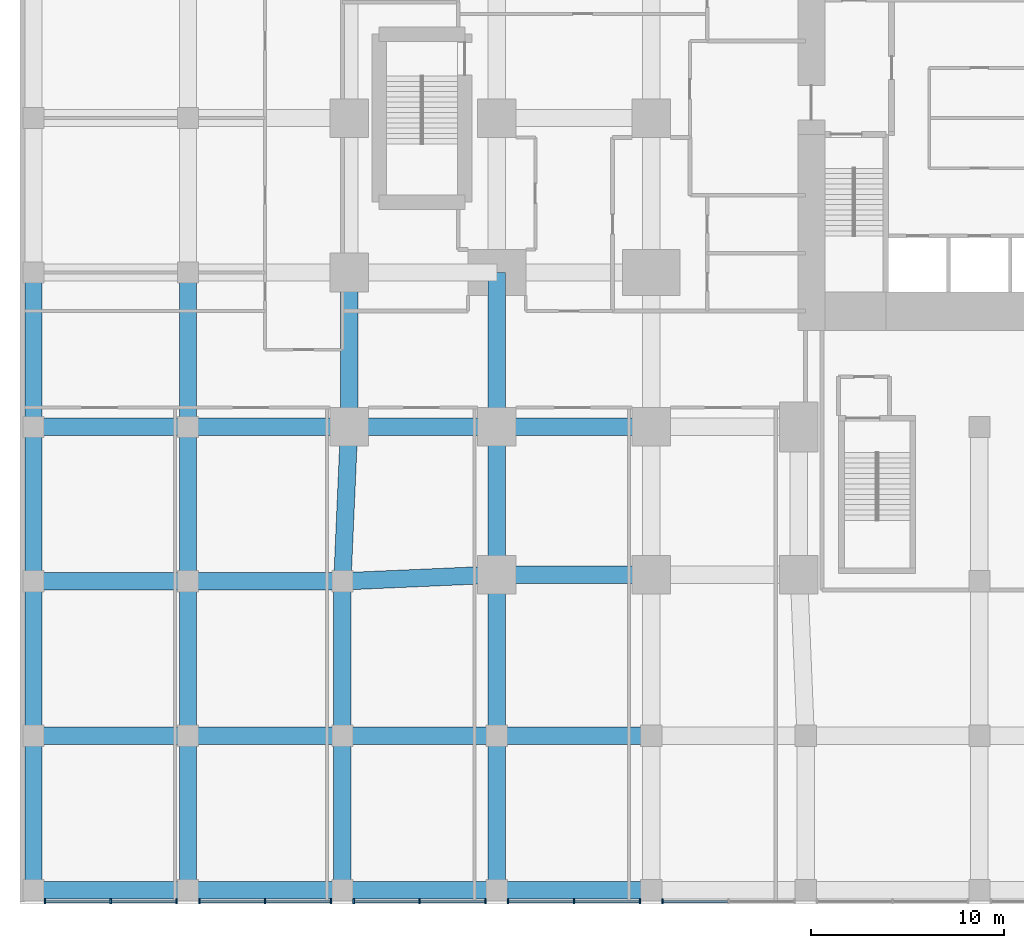
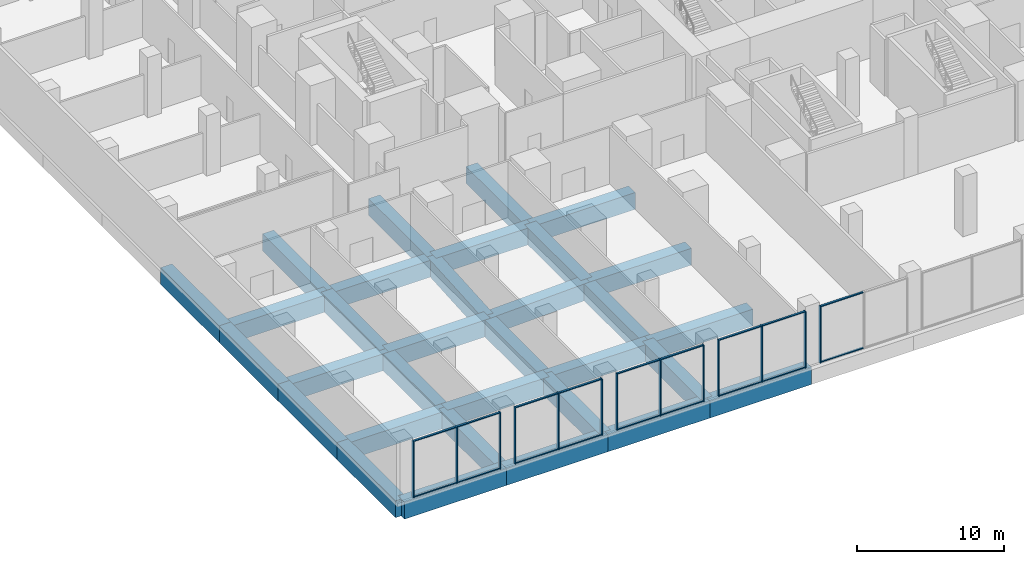
# One storey, part 2 of 22: 32 beams, 31 members, 5 elements without a shape of their own.
"""IFC4 building model written with IfcOpenShell, lengths in metres."""

from ifc_helpers import new_model, si_unit, direction, frame, origin, origin_2d, place, context, subcontext, project, spatial, rectangle, extrude, material, layer, layer_set, material_profile, profile_set, type_object, element, aggregate, save


model = new_model("IFC4")

# Units and contexts
model_context = context("Model", 3, precision=1e-05, world=origin(), true_north=direction((0.0, 1.0)))
body_context = subcontext(model_context, "Body", "Model", "MODEL_VIEW")
ifc_project = project(units=[si_unit("LENGTHUNIT", "METRE"), si_unit("AREAUNIT", "SQUARE_METRE"), si_unit("VOLUMEUNIT", "CUBIC_METRE"), si_unit("PLANEANGLEUNIT", "RADIAN"), si_unit("MASSUNIT", "GRAM", prefix="KILO")], contexts=[model_context])

# Site, building, storey
site_placement = place(None, origin())
site = spatial("IfcSite", under=ifc_project, at=site_placement, CompositionType="ELEMENT")
building_placement = place(site_placement, origin())
building = spatial("IfcBuilding", under=site, at=building_placement, Name="Cleftline Residences", CompositionType="ELEMENT")
storey_placement = place(building_placement, frame((0.0, 0.0, 6.0)))
storey = spatial("IfcBuildingStorey", under=building, at=storey_placement, Name="L01", CompositionType="ELEMENT", Elevation=6.0)

# Beams
ifc_material_1 = material(Name="Concrete B45", Category="concrete")
ifc_material_profile_1 = material_profile(ifc_material_1, rectangle(XDim=0.89990234375, YDim=1.39990234375, at=origin_2d()))
ifc_profile_set_1 = profile_set([ifc_material_profile_1], Name="Concrete B45")
beam_type = type_object("IfcBeamType", Name="BEAM RC900X1400", PredefinedType="BEAM", material=ifc_profile_set_1)
for number, where, z_axis, x_axis, name in (
    (1, (-16.0, -16.0, -1.0), (1.0, 0.0, 0.0), (0.0, 1.0, 0.0), "Podium beam"),
    (2, (-8.0, -16.0, -1.0), (1.0, 0.0, 0.0), (0.0, 1.0, 0.0), "Podium beam"),
    (3, (0.0, -16.0, -1.0), (1.0, 0.0, 0.0), (0.0, 1.0, 0.0), "Podium beam"),
    (4, (8.0, -16.0, -1.0), (1.0, 0.0, 0.0), (0.0, 1.0, 0.0), "Podium beam"),
    (5, (-16.0, -8.0, -1.0), (1.0, 0.0, 0.0), (0.0, 1.0, 0.0), "Podium beam"),
    (6, (-8.0, -8.0, -1.0), (1.0, 0.0, 0.0), (0.0, 1.0, 0.0), "Podium beam"),
    (7, (0.0, -8.0, -1.0), (1.0, 0.0, 0.0), (0.0, 1.0, 0.0), "Podium beam"),
    (8, (8.0, -8.0, -1.0), (1.0, 0.0, 0.0), (0.0, 1.0, 0.0), "Podium beam"),
    (9, (-16.0, 0.0, -1.0), (1.0, 0.0, 0.0), (0.0, 1.0, 0.0), "Podium beam"),
    (10, (-8.0, 0.0, -1.0), (1.0, 0.0, 0.0), (0.0, 1.0, 0.0), "Podium beam"),
):
    element("IfcBeam", number, at=place(storey_placement, frame(where, z_axis=z_axis, x_axis=x_axis)), inside=storey, type_object=beam_type, Name=name, PredefinedType="BEAM", context=body_context, shape_type="SweptSolid", body=[
        extrude(rectangle(XDim=0.89990234375, YDim=1.39990234375, at=origin_2d()), origin(), (0.0, 0.0, 1.0), 8.0),
    ])
beam_1_placement = place(storey_placement, frame((0.0, 0.0, -1.0), z_axis=(0.999043807824, 0.043720361951, 0.0), x_axis=(-0.043720361951, 0.999043807824, 0.0)))
element("IfcBeam", 11, at=beam_1_placement, inside=storey, type_object=beam_type, Name="Podium beam", PredefinedType="BEAM", context=body_context, shape_type="SweptSolid", body=[
    extrude(rectangle(XDim=0.89990234375, YDim=1.39990234375, at=origin_2d()), origin(), (0.0, 0.0, 1.0), 8.007568359375),
])
for number, where, z_axis, x_axis, name in (
    (12, (8.0, 0.35009765625, -1.0), (1.0, 0.0, 0.0), (0.0, 1.0, 0.0), "Podium beam"),
    (13, (-16.0, 8.0, -1.0), (1.0, 0.0, 0.0), (0.0, 1.0, 0.0), "Podium beam"),
):
    element("IfcBeam", number, at=place(storey_placement, frame(where, z_axis=z_axis, x_axis=x_axis)), inside=storey, type_object=beam_type, Name=name, PredefinedType="BEAM", context=body_context, shape_type="SweptSolid", body=[
        extrude(rectangle(XDim=0.89990234375, YDim=1.39990234375, at=origin_2d()), origin(), (0.0, 0.0, 1.0), 8.0),
    ])
beam_2_placement = place(storey_placement, frame((-8.0, 8.0, -1.0), z_axis=(1.0, 0.0, 0.0), x_axis=(0.0, 1.0, 0.0)))
element("IfcBeam", 14, at=beam_2_placement, inside=storey, type_object=beam_type, Name="Podium beam", PredefinedType="BEAM", context=body_context, shape_type="SweptSolid", body=[
    extrude(rectangle(XDim=0.89990234375, YDim=1.39990234375, at=origin_2d()), origin(), (0.0, 0.0, 1.0), 8.35009765625),
])
beam_3_placement = place(storey_placement, frame((0.35009765625, 8.0, -1.0), z_axis=(1.0, 0.0, 0.0), x_axis=(0.0, 1.0, 0.0)))
element("IfcBeam", 15, at=beam_3_placement, inside=storey, type_object=beam_type, Name="Podium beam", PredefinedType="BEAM", context=body_context, shape_type="SweptSolid", body=[
    extrude(rectangle(XDim=0.89990234375, YDim=1.39990234375, at=origin_2d()), origin(), (0.0, 0.0, 1.0), 7.64990234375),
])
for number, where, z_axis, x_axis, name in (
    (16, (8.0, 8.0, -1.0), (1.0, 0.0, 0.0), (0.0, 1.0, 0.0), "Podium beam"),
    (17, (-16.0, -16.0, -1.0), (0.0, 1.0, 0.0), (-1.0, 0.0, 0.0), "Podium beam"),
    (18, (-16.0, -8.0, -1.0), (0.0, 1.0, 0.0), (-1.0, 0.0, 0.0), "Podium beam"),
    (19, (-16.0, 0.0, -1.0), (0.0, 1.0, 0.0), (-1.0, 0.0, 0.0), "Podium beam"),
    (20, (-16.0, 8.0, -1.0), (0.0, 1.0, 0.0), (-1.0, 0.0, 0.0), "Podium beam"),
    (21, (-8.0, -16.0, -1.0), (0.0, 1.0, 0.0), (-1.0, 0.0, 0.0), "Podium beam"),
    (22, (-8.0, -8.0, -1.0), (0.0, 1.0, 0.0), (-1.0, 0.0, 0.0), "Podium beam"),
    (23, (-8.0, 0.0, -1.0), (0.0, 1.0, 0.0), (-1.0, 0.0, 0.0), "Podium beam"),
    (24, (-8.0, 8.0, -1.0), (0.0, 1.0, 0.0), (-1.0, 0.0, 0.0), "Podium beam"),
    (25, (0.0, -16.0, -1.0), (0.0, 1.0, 0.0), (-1.0, 0.0, 0.0), "Podium beam"),
    (26, (0.0, -8.0, -1.0), (0.0, 1.0, 0.0), (-1.0, 0.0, 0.0), "Podium beam"),
):
    element("IfcBeam", number, at=place(storey_placement, frame(where, z_axis=z_axis, x_axis=x_axis)), inside=storey, type_object=beam_type, Name=name, PredefinedType="BEAM", context=body_context, shape_type="SweptSolid", body=[
        extrude(rectangle(XDim=0.89990234375, YDim=1.39990234375, at=origin_2d()), origin(), (0.0, 0.0, 1.0), 8.0),
    ])
beam_4_placement = place(storey_placement, frame((0.0, 0.0, -1.0), z_axis=(0.043720361951, 0.999043807824, 0.0), x_axis=(-0.999043807824, 0.043720361951, 0.0)))
element("IfcBeam", 27, at=beam_4_placement, inside=storey, type_object=beam_type, Name="Podium beam", PredefinedType="BEAM", context=body_context, shape_type="SweptSolid", body=[
    extrude(rectangle(XDim=0.89990234375, YDim=1.39990234375, at=origin_2d()), origin(), (0.0, 0.0, 1.0), 8.007568359375),
])
for number, where, z_axis, x_axis, name in (
    (28, (0.35009765625, 8.0, -1.0), (0.0, 1.0, 0.0), (-1.0, 0.0, 0.0), "Podium beam"),
    (29, (8.0, -16.0, -1.0), (0.0, 1.0, 0.0), (-1.0, 0.0, 0.0), "Podium beam"),
):
    element("IfcBeam", number, at=place(storey_placement, frame(where, z_axis=z_axis, x_axis=x_axis)), inside=storey, type_object=beam_type, Name=name, PredefinedType="BEAM", context=body_context, shape_type="SweptSolid", body=[
        extrude(rectangle(XDim=0.89990234375, YDim=1.39990234375, at=origin_2d()), origin(), (0.0, 0.0, 1.0), 8.0),
    ])
beam_5_placement = place(storey_placement, frame((8.0, -8.0, -1.0), z_axis=(0.0, 1.0, 0.0), x_axis=(-1.0, 0.0, 0.0)))
element("IfcBeam", 30, at=beam_5_placement, inside=storey, type_object=beam_type, Name="Podium beam", PredefinedType="BEAM", context=body_context, shape_type="SweptSolid", body=[
    extrude(rectangle(XDim=0.89990234375, YDim=1.39990234375, at=origin_2d()), origin(), (0.0, 0.0, 1.0), 8.35009765625),
])
beam_6_placement = place(storey_placement, frame((8.0, 0.35009765625, -1.0), z_axis=(0.0, 1.0, 0.0), x_axis=(-1.0, 0.0, 0.0)))
element("IfcBeam", 31, at=beam_6_placement, inside=storey, type_object=beam_type, Name="Podium beam", PredefinedType="BEAM", context=body_context, shape_type="SweptSolid", body=[
    extrude(rectangle(XDim=0.89990234375, YDim=1.39990234375, at=origin_2d()), origin(), (0.0, 0.0, 1.0), 7.64990234375),
])
beam_7_placement = place(storey_placement, frame((8.0, 8.0, -1.0), z_axis=(0.0, 1.0, 0.0), x_axis=(-1.0, 0.0, 0.0)))
element("IfcBeam", 32, at=beam_7_placement, inside=storey, type_object=beam_type, Name="Podium beam", PredefinedType="BEAM", context=body_context, shape_type="SweptSolid", body=[
    extrude(rectangle(XDim=0.89990234375, YDim=1.39990234375, at=origin_2d()), origin(), (0.0, 0.0, 1.0), 8.0),
])

# Curtain wall, members
ifc_material_2 = material(Name="Aluminium framed curtain wall", Category="aluminium")
ifc_layer = layer(ifc_material_2, 0.199951171875)
ifc_layer_set = layer_set([ifc_layer], Name="CW2 PODIUM GLAZING")
curtain_wall_type = type_object("IfcCurtainWallType", Name="CW2 PODIUM GLAZING", PredefinedType="NOTDEFINED", material=ifc_layer_set)
curtain_wall_1_placement = place(storey_placement, origin())
curtain_wall_1 = element("IfcCurtainWall", 33, at=curtain_wall_1_placement, inside=storey, type_object=curtain_wall_type, Name="Curtain wall CW2", PredefinedType="NOTDEFINED")
ifc_material_3 = material(Name="Aluminium mullion", Category="aluminium")
ifc_material_profile_2 = material_profile(ifc_material_3, rectangle(XDim=0.25, YDim=0.080078125, at=origin_2d()))
ifc_profile_set_2 = profile_set([ifc_material_profile_2], Name="Aluminium mullion")
member_type_1 = type_object("IfcMemberType", Name="CW2 MULLION", PredefinedType="MULLION", material=ifc_profile_set_2)
member_1_placement = place(storey_placement, frame((-15.409912109375, -16.574951171875, 0.0), z_axis=(0.0, 0.0, 1.0), x_axis=(0.0, 1.0, 0.0)))
member_1 = element("IfcMember", 34, at=member_1_placement, type_object=member_type_1, Name="CW2 mullion 1", PredefinedType="MULLION", context=body_context, shape_type="SweptSolid", body=[
    extrude(rectangle(XDim=0.25, YDim=0.080078125, at=origin_2d()), origin(), (0.0, 0.0, 1.0), 4.699951171875),
])
member_2_placement = place(storey_placement, frame((-12.0, -16.574951171875, 0.0), z_axis=(0.0, 0.0, 1.0), x_axis=(0.0, 1.0, 0.0)))
member_2 = element("IfcMember", 35, at=member_2_placement, type_object=member_type_1, Name="CW2 mullion 2", PredefinedType="MULLION", context=body_context, shape_type="SweptSolid", body=[
    extrude(rectangle(XDim=0.25, YDim=0.080078125, at=origin_2d()), origin(), (0.0, 0.0, 1.0), 4.699951171875),
])
member_3_placement = place(storey_placement, frame((-8.590087890625, -16.574951171875, 0.0), z_axis=(0.0, 0.0, 1.0), x_axis=(0.0, 1.0, 0.0)))
member_3 = element("IfcMember", 36, at=member_3_placement, type_object=member_type_1, Name="CW2 mullion 3", PredefinedType="MULLION", context=body_context, shape_type="SweptSolid", body=[
    extrude(rectangle(XDim=0.25, YDim=0.080078125, at=origin_2d()), origin(), (0.0, 0.0, 1.0), 4.699951171875),
])

curtain_wall_2_placement = place(storey_placement, origin())
curtain_wall_2 = element("IfcCurtainWall", 37, at=curtain_wall_2_placement, inside=storey, type_object=curtain_wall_type, Name="Curtain wall CW2", PredefinedType="NOTDEFINED")
member_4_placement = place(storey_placement, frame((-7.409912109375, -16.574951171875, 0.0), z_axis=(0.0, 0.0, 1.0), x_axis=(0.0, 1.0, 0.0)))
member_4 = element("IfcMember", 38, at=member_4_placement, type_object=member_type_1, Name="CW2 mullion 1", PredefinedType="MULLION", context=body_context, shape_type="SweptSolid", body=[
    extrude(rectangle(XDim=0.25, YDim=0.080078125, at=origin_2d()), origin(), (0.0, 0.0, 1.0), 4.699951171875),
])
member_5_placement = place(storey_placement, frame((-4.0, -16.574951171875, 0.0), z_axis=(0.0, 0.0, 1.0), x_axis=(0.0, 1.0, 0.0)))
member_5 = element("IfcMember", 39, at=member_5_placement, type_object=member_type_1, Name="CW2 mullion 2", PredefinedType="MULLION", context=body_context, shape_type="SweptSolid", body=[
    extrude(rectangle(XDim=0.25, YDim=0.080078125, at=origin_2d()), origin(), (0.0, 0.0, 1.0), 4.699951171875),
])
member_6_placement = place(storey_placement, frame((-0.590087890625, -16.574951171875, 0.0), z_axis=(0.0, 0.0, 1.0), x_axis=(0.0, 1.0, 0.0)))
member_6 = element("IfcMember", 40, at=member_6_placement, type_object=member_type_1, Name="CW2 mullion 3", PredefinedType="MULLION", context=body_context, shape_type="SweptSolid", body=[
    extrude(rectangle(XDim=0.25, YDim=0.080078125, at=origin_2d()), origin(), (0.0, 0.0, 1.0), 4.699951171875),
])

curtain_wall_3_placement = place(storey_placement, origin())
curtain_wall_3 = element("IfcCurtainWall", 41, at=curtain_wall_3_placement, inside=storey, type_object=curtain_wall_type, Name="Curtain wall CW2", PredefinedType="NOTDEFINED")
member_7_placement = place(storey_placement, frame((0.590087890625, -16.574951171875, 0.0), z_axis=(0.0, 0.0, 1.0), x_axis=(0.0, 1.0, 0.0)))
member_7 = element("IfcMember", 42, at=member_7_placement, type_object=member_type_1, Name="CW2 mullion 1", PredefinedType="MULLION", context=body_context, shape_type="SweptSolid", body=[
    extrude(rectangle(XDim=0.25, YDim=0.080078125, at=origin_2d()), origin(), (0.0, 0.0, 1.0), 4.699951171875),
])
member_8_placement = place(storey_placement, frame((4.0, -16.574951171875, 0.0), z_axis=(0.0, 0.0, 1.0), x_axis=(0.0, 1.0, 0.0)))
member_8 = element("IfcMember", 43, at=member_8_placement, type_object=member_type_1, Name="CW2 mullion 2", PredefinedType="MULLION", context=body_context, shape_type="SweptSolid", body=[
    extrude(rectangle(XDim=0.25, YDim=0.080078125, at=origin_2d()), origin(), (0.0, 0.0, 1.0), 4.699951171875),
])
member_9_placement = place(storey_placement, frame((7.409912109375, -16.574951171875, 0.0), z_axis=(0.0, 0.0, 1.0), x_axis=(0.0, 1.0, 0.0)))
member_9 = element("IfcMember", 44, at=member_9_placement, type_object=member_type_1, Name="CW2 mullion 3", PredefinedType="MULLION", context=body_context, shape_type="SweptSolid", body=[
    extrude(rectangle(XDim=0.25, YDim=0.080078125, at=origin_2d()), origin(), (0.0, 0.0, 1.0), 4.699951171875),
])

curtain_wall_4_placement = place(storey_placement, origin())
curtain_wall_4 = element("IfcCurtainWall", 45, at=curtain_wall_4_placement, inside=storey, type_object=curtain_wall_type, Name="Curtain wall CW2", PredefinedType="NOTDEFINED")
member_10_placement = place(storey_placement, frame((8.590087890625, -16.574951171875, 0.0), z_axis=(0.0, 0.0, 1.0), x_axis=(0.0, 1.0, 0.0)))
member_10 = element("IfcMember", 46, at=member_10_placement, type_object=member_type_1, Name="CW2 mullion 1", PredefinedType="MULLION", context=body_context, shape_type="SweptSolid", body=[
    extrude(rectangle(XDim=0.25, YDim=0.080078125, at=origin_2d()), origin(), (0.0, 0.0, 1.0), 4.699951171875),
])
member_11_placement = place(storey_placement, frame((12.0, -16.574951171875, 0.0), z_axis=(0.0, 0.0, 1.0), x_axis=(0.0, 1.0, 0.0)))
member_11 = element("IfcMember", 47, at=member_11_placement, type_object=member_type_1, Name="CW2 mullion 2", PredefinedType="MULLION", context=body_context, shape_type="SweptSolid", body=[
    extrude(rectangle(XDim=0.25, YDim=0.080078125, at=origin_2d()), origin(), (0.0, 0.0, 1.0), 4.699951171875),
])
member_12_placement = place(storey_placement, frame((15.409912109375, -16.574951171875, 0.0), z_axis=(0.0, 0.0, 1.0), x_axis=(0.0, 1.0, 0.0)))
member_12 = element("IfcMember", 48, at=member_12_placement, type_object=member_type_1, Name="CW2 mullion 3", PredefinedType="MULLION", context=body_context, shape_type="SweptSolid", body=[
    extrude(rectangle(XDim=0.25, YDim=0.080078125, at=origin_2d()), origin(), (0.0, 0.0, 1.0), 4.699951171875),
])

# Curtain wall, member
curtain_wall_5_placement = place(storey_placement, origin())
curtain_wall_5 = element("IfcCurtainWall", 49, at=curtain_wall_5_placement, inside=storey, type_object=curtain_wall_type, Name="Curtain wall CW2", PredefinedType="NOTDEFINED")
member_13_placement = place(storey_placement, frame((16.590087890625, -16.574951171875, 0.0), z_axis=(0.0, 0.0, 1.0), x_axis=(0.0, 1.0, 0.0)))
member_13 = element("IfcMember", 50, at=member_13_placement, type_object=member_type_1, Name="CW2 mullion 1", PredefinedType="MULLION", context=body_context, shape_type="SweptSolid", body=[
    extrude(rectangle(XDim=0.25, YDim=0.080078125, at=origin_2d()), origin(), (0.0, 0.0, 1.0), 4.699951171875),
])

# Member
ifc_material_4 = material(Name="Aluminium transom", Category="aluminium")
ifc_material_profile_3 = material_profile(ifc_material_4, rectangle(XDim=0.14990234375, YDim=0.080078125, at=origin_2d()))
ifc_profile_set_3 = profile_set([ifc_material_profile_3], Name="Aluminium transom")
member_type_2 = type_object("IfcMemberType", Name="CW2 TRANSOM", PredefinedType="USERDEFINED", material=ifc_profile_set_3)
member_14_placement = place(storey_placement, frame((-15.3701171875, -16.574951171875, 0.0400390625), z_axis=(1.0, 0.0, 0.0), x_axis=(0.0, 1.0, 0.0)))
member_14 = element("IfcMember", 51, at=member_14_placement, type_object=member_type_2, Name="CW2 transom 1.1", ObjectType="TRANSOM", PredefinedType="USERDEFINED", context=body_context, shape_type="SweptSolid", body=[
    extrude(rectangle(XDim=0.14990234375, YDim=0.080078125, at=origin_2d()), origin(), (0.0, 0.0, 1.0), 3.330078125),
])

member_15_placement = place(storey_placement, frame((-15.3701171875, -16.574951171875, 4.659912109375), z_axis=(1.0, 0.0, 0.0), x_axis=(0.0, 1.0, 0.0)))
member_15 = element("IfcMember", 52, at=member_15_placement, type_object=member_type_2, Name="CW2 transom 1.2", ObjectType="TRANSOM", PredefinedType="USERDEFINED", context=body_context, shape_type="SweptSolid", body=[
    extrude(rectangle(XDim=0.14990234375, YDim=0.080078125, at=origin_2d()), origin(), (0.0, 0.0, 1.0), 3.330078125),
])

member_16_placement = place(storey_placement, frame((-11.9599609375, -16.574951171875, 0.0400390625), z_axis=(1.0, 0.0, 0.0), x_axis=(0.0, 1.0, 0.0)))
member_16 = element("IfcMember", 53, at=member_16_placement, type_object=member_type_2, Name="CW2 transom 2.1", ObjectType="TRANSOM", PredefinedType="USERDEFINED", context=body_context, shape_type="SweptSolid", body=[
    extrude(rectangle(XDim=0.14990234375, YDim=0.080078125, at=origin_2d()), origin(), (0.0, 0.0, 1.0), 3.330078125),
])

member_17_placement = place(storey_placement, frame((-11.9599609375, -16.574951171875, 4.659912109375), z_axis=(1.0, 0.0, 0.0), x_axis=(0.0, 1.0, 0.0)))
member_17 = element("IfcMember", 54, at=member_17_placement, type_object=member_type_2, Name="CW2 transom 2.2", ObjectType="TRANSOM", PredefinedType="USERDEFINED", context=body_context, shape_type="SweptSolid", body=[
    extrude(rectangle(XDim=0.14990234375, YDim=0.080078125, at=origin_2d()), origin(), (0.0, 0.0, 1.0), 3.330078125),
])

aggregate(curtain_wall_1, [member_1, member_2, member_3, member_14, member_15, member_16, member_17])

member_18_placement = place(storey_placement, frame((-7.3701171875, -16.574951171875, 0.0400390625), z_axis=(1.0, 0.0, 0.0), x_axis=(0.0, 1.0, 0.0)))
member_18 = element("IfcMember", 55, at=member_18_placement, type_object=member_type_2, Name="CW2 transom 1.1", ObjectType="TRANSOM", PredefinedType="USERDEFINED", context=body_context, shape_type="SweptSolid", body=[
    extrude(rectangle(XDim=0.14990234375, YDim=0.080078125, at=origin_2d()), origin(), (0.0, 0.0, 1.0), 3.330078125),
])

member_19_placement = place(storey_placement, frame((-7.3701171875, -16.574951171875, 4.659912109375), z_axis=(1.0, 0.0, 0.0), x_axis=(0.0, 1.0, 0.0)))
member_19 = element("IfcMember", 56, at=member_19_placement, type_object=member_type_2, Name="CW2 transom 1.2", ObjectType="TRANSOM", PredefinedType="USERDEFINED", context=body_context, shape_type="SweptSolid", body=[
    extrude(rectangle(XDim=0.14990234375, YDim=0.080078125, at=origin_2d()), origin(), (0.0, 0.0, 1.0), 3.330078125),
])

member_20_placement = place(storey_placement, frame((-3.9599609375, -16.574951171875, 0.0400390625), z_axis=(1.0, 0.0, 0.0), x_axis=(0.0, 1.0, 0.0)))
member_20 = element("IfcMember", 57, at=member_20_placement, type_object=member_type_2, Name="CW2 transom 2.1", ObjectType="TRANSOM", PredefinedType="USERDEFINED", context=body_context, shape_type="SweptSolid", body=[
    extrude(rectangle(XDim=0.14990234375, YDim=0.080078125, at=origin_2d()), origin(), (0.0, 0.0, 1.0), 3.330078125),
])

member_21_placement = place(storey_placement, frame((-3.9599609375, -16.574951171875, 4.659912109375), z_axis=(1.0, 0.0, 0.0), x_axis=(0.0, 1.0, 0.0)))
member_21 = element("IfcMember", 58, at=member_21_placement, type_object=member_type_2, Name="CW2 transom 2.2", ObjectType="TRANSOM", PredefinedType="USERDEFINED", context=body_context, shape_type="SweptSolid", body=[
    extrude(rectangle(XDim=0.14990234375, YDim=0.080078125, at=origin_2d()), origin(), (0.0, 0.0, 1.0), 3.330078125),
])

aggregate(curtain_wall_2, [member_4, member_5, member_6, member_18, member_19, member_20, member_21])

member_22_placement = place(storey_placement, frame((0.6298828125, -16.574951171875, 0.0400390625), z_axis=(1.0, 0.0, 0.0), x_axis=(0.0, 1.0, 0.0)))
member_22 = element("IfcMember", 59, at=member_22_placement, type_object=member_type_2, Name="CW2 transom 1.1", ObjectType="TRANSOM", PredefinedType="USERDEFINED", context=body_context, shape_type="SweptSolid", body=[
    extrude(rectangle(XDim=0.14990234375, YDim=0.080078125, at=origin_2d()), origin(), (0.0, 0.0, 1.0), 3.330078125),
])

member_23_placement = place(storey_placement, frame((0.6298828125, -16.574951171875, 4.659912109375), z_axis=(1.0, 0.0, 0.0), x_axis=(0.0, 1.0, 0.0)))
member_23 = element("IfcMember", 60, at=member_23_placement, type_object=member_type_2, Name="CW2 transom 1.2", ObjectType="TRANSOM", PredefinedType="USERDEFINED", context=body_context, shape_type="SweptSolid", body=[
    extrude(rectangle(XDim=0.14990234375, YDim=0.080078125, at=origin_2d()), origin(), (0.0, 0.0, 1.0), 3.330078125),
])

member_24_placement = place(storey_placement, frame((4.0400390625, -16.574951171875, 0.0400390625), z_axis=(1.0, 0.0, 0.0), x_axis=(0.0, 1.0, 0.0)))
member_24 = element("IfcMember", 61, at=member_24_placement, type_object=member_type_2, Name="CW2 transom 2.1", ObjectType="TRANSOM", PredefinedType="USERDEFINED", context=body_context, shape_type="SweptSolid", body=[
    extrude(rectangle(XDim=0.14990234375, YDim=0.080078125, at=origin_2d()), origin(), (0.0, 0.0, 1.0), 3.330078125),
])

member_25_placement = place(storey_placement, frame((4.0400390625, -16.574951171875, 4.659912109375), z_axis=(1.0, 0.0, 0.0), x_axis=(0.0, 1.0, 0.0)))
member_25 = element("IfcMember", 62, at=member_25_placement, type_object=member_type_2, Name="CW2 transom 2.2", ObjectType="TRANSOM", PredefinedType="USERDEFINED", context=body_context, shape_type="SweptSolid", body=[
    extrude(rectangle(XDim=0.14990234375, YDim=0.080078125, at=origin_2d()), origin(), (0.0, 0.0, 1.0), 3.330078125),
])

aggregate(curtain_wall_3, [member_7, member_8, member_9, member_22, member_23, member_24, member_25])

member_26_placement = place(storey_placement, frame((8.6298828125, -16.574951171875, 0.0400390625), z_axis=(1.0, 0.0, 0.0), x_axis=(0.0, 1.0, 0.0)))
member_26 = element("IfcMember", 63, at=member_26_placement, type_object=member_type_2, Name="CW2 transom 1.1", ObjectType="TRANSOM", PredefinedType="USERDEFINED", context=body_context, shape_type="SweptSolid", body=[
    extrude(rectangle(XDim=0.14990234375, YDim=0.080078125, at=origin_2d()), origin(), (0.0, 0.0, 1.0), 3.330078125),
])

member_27_placement = place(storey_placement, frame((8.6298828125, -16.574951171875, 4.659912109375), z_axis=(1.0, 0.0, 0.0), x_axis=(0.0, 1.0, 0.0)))
member_27 = element("IfcMember", 64, at=member_27_placement, type_object=member_type_2, Name="CW2 transom 1.2", ObjectType="TRANSOM", PredefinedType="USERDEFINED", context=body_context, shape_type="SweptSolid", body=[
    extrude(rectangle(XDim=0.14990234375, YDim=0.080078125, at=origin_2d()), origin(), (0.0, 0.0, 1.0), 3.330078125),
])

member_28_placement = place(storey_placement, frame((12.0400390625, -16.574951171875, 0.0400390625), z_axis=(1.0, 0.0, 0.0), x_axis=(0.0, 1.0, 0.0)))
member_28 = element("IfcMember", 65, at=member_28_placement, type_object=member_type_2, Name="CW2 transom 2.1", ObjectType="TRANSOM", PredefinedType="USERDEFINED", context=body_context, shape_type="SweptSolid", body=[
    extrude(rectangle(XDim=0.14990234375, YDim=0.080078125, at=origin_2d()), origin(), (0.0, 0.0, 1.0), 3.330078125),
])

member_29_placement = place(storey_placement, frame((12.0400390625, -16.574951171875, 4.659912109375), z_axis=(1.0, 0.0, 0.0), x_axis=(0.0, 1.0, 0.0)))
member_29 = element("IfcMember", 66, at=member_29_placement, type_object=member_type_2, Name="CW2 transom 2.2", ObjectType="TRANSOM", PredefinedType="USERDEFINED", context=body_context, shape_type="SweptSolid", body=[
    extrude(rectangle(XDim=0.14990234375, YDim=0.080078125, at=origin_2d()), origin(), (0.0, 0.0, 1.0), 3.330078125),
])

aggregate(curtain_wall_4, [member_10, member_11, member_12, member_26, member_27, member_28, member_29])

member_30_placement = place(storey_placement, frame((16.6298828125, -16.574951171875, 0.0400390625), z_axis=(1.0, 0.0, 0.0), x_axis=(0.0, 1.0, 0.0)))
member_30 = element("IfcMember", 67, at=member_30_placement, type_object=member_type_2, Name="CW2 transom 1.1", ObjectType="TRANSOM", PredefinedType="USERDEFINED", context=body_context, shape_type="SweptSolid", body=[
    extrude(rectangle(XDim=0.14990234375, YDim=0.080078125, at=origin_2d()), origin(), (0.0, 0.0, 1.0), 3.330078125),
])

member_31_placement = place(storey_placement, frame((16.6298828125, -16.574951171875, 4.659912109375), z_axis=(1.0, 0.0, 0.0), x_axis=(0.0, 1.0, 0.0)))
member_31 = element("IfcMember", 68, at=member_31_placement, type_object=member_type_2, Name="CW2 transom 1.2", ObjectType="TRANSOM", PredefinedType="USERDEFINED", context=body_context, shape_type="SweptSolid", body=[
    extrude(rectangle(XDim=0.14990234375, YDim=0.080078125, at=origin_2d()), origin(), (0.0, 0.0, 1.0), 3.330078125),
])

aggregate(curtain_wall_5, [member_13, member_30, member_31])

save(model, "model.ifc")
